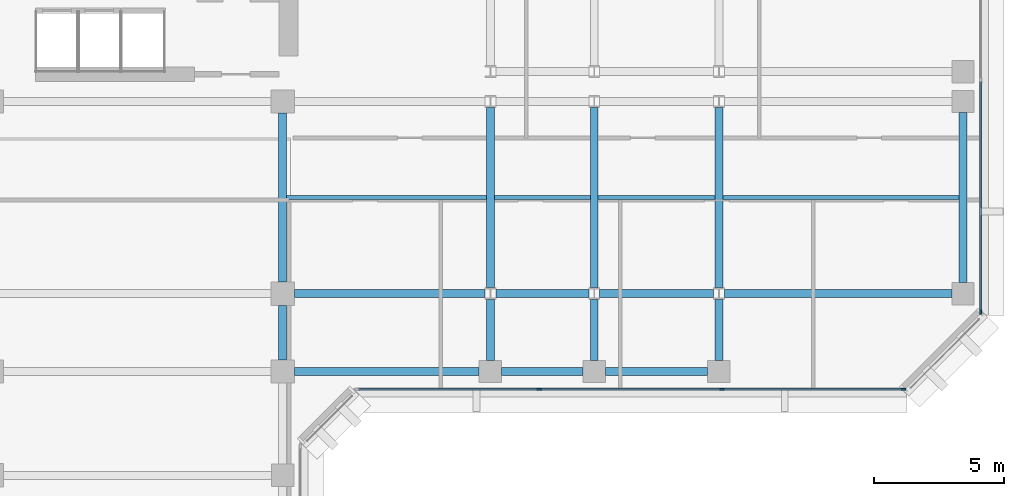
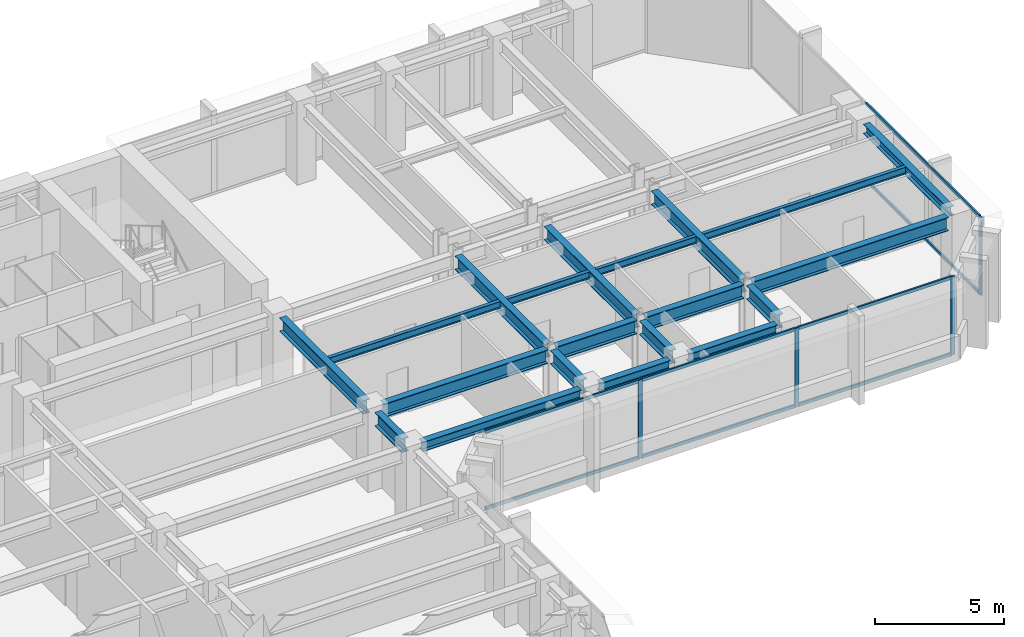
# One storey, part 3 of 11: 20 beams, 12 members, 2 elements without a shape of their own.
"""IFC4 building model written with IfcOpenShell, lengths in metres."""

from ifc_helpers import new_model, si_unit, direction, frame, origin, origin_2d, place, context, subcontext, project, spatial, rectangle, i_section, extrude, material, layer, layer_set, material_profile, profile_set, type_object, element, aggregate, save


model = new_model("IFC4")

# Units and contexts
model_context = context("Model", 3, precision=1e-05, world=origin(), true_north=direction((0.0, 1.0)))
body_context = subcontext(model_context, "Body", "Model", "MODEL_VIEW")
ifc_project = project(units=[si_unit("LENGTHUNIT", "METRE"), si_unit("AREAUNIT", "SQUARE_METRE"), si_unit("VOLUMEUNIT", "CUBIC_METRE"), si_unit("PLANEANGLEUNIT", "RADIAN"), si_unit("MASSUNIT", "GRAM", prefix="KILO")], contexts=[model_context])

# Site, building, storey
site_placement = place(None, origin())
site = spatial("IfcSite", under=ifc_project, at=site_placement, CompositionType="ELEMENT")
building_placement = place(site_placement, origin())
building = spatial("IfcBuilding", under=site, at=building_placement, Name="Kefirva Bronze Tower", CompositionType="ELEMENT")
storey_placement = place(building_placement, frame((0.0, 0.0, 158.72998046875)))
storey = spatial("IfcBuildingStorey", under=building, at=storey_placement, Name="L38", CompositionType="ELEMENT", Elevation=158.72998046875)

# Curtain wall, members
ifc_material_1 = material(Name="Bronze anodised aluminium", Category="aluminium")
ifc_layer = layer(ifc_material_1, 0.199951171875, Name="Bronze anodised aluminium")
ifc_layer_set = layer_set([ifc_layer], Name="Bronze anodised aluminium")
curtain_wall_type = type_object("IfcCurtainWallType", Name="Unitised Bronze Ribbon Curtain Wall Zone 2", PredefinedType="USERDEFINED", material=ifc_layer_set)
curtain_wall_1_placement = place(storey_placement, origin())
curtain_wall_1 = element("IfcCurtainWall", 1, at=curtain_wall_1_placement, inside=storey, type_object=curtain_wall_type, Name="L38 Curtain Wall 3", ObjectType="UNITISED CURTAIN WALL", PredefinedType="USERDEFINED")
ifc_material_profile_1 = material_profile(ifc_material_1, rectangle(XDim=0.074951171875, YDim=0.179931640625, at=origin_2d()), Name="ALU 75x180")
ifc_profile_set_1 = profile_set([ifc_material_profile_1], Name="Bronze anodised aluminium")
member_type_1 = type_object("IfcMemberType", Name="Bronze Mullion 75x180", PredefinedType="MULLION", material=ifc_profile_set_1)
member_1_placement = place(storey_placement, frame((33.0849609375, 22.1201171875, 0.0), z_axis=(0.0, 0.0, 1.0), x_axis=(0.0, 1.0, 0.0)))
member_1 = element("IfcMember", 2, at=member_1_placement, type_object=member_type_1, Name="CW-02 mullion 2", PredefinedType="MULLION", context=body_context, shape_type="SweptSolid", body=[
    extrude(rectangle(XDim=0.074951171875, YDim=0.179931640625, at=origin_2d()), origin(), (0.0, 0.0, 1.0), 3.7099609375),
])
member_2_placement = place(storey_placement, frame((40.114990234375, 22.1201171875, 0.0), z_axis=(0.0, 0.0, 1.0), x_axis=(0.0, 1.0, 0.0)))
member_2 = element("IfcMember", 3, at=member_2_placement, type_object=member_type_1, Name="CW-02 mullion 3", PredefinedType="MULLION", context=body_context, shape_type="SweptSolid", body=[
    extrude(rectangle(XDim=0.074951171875, YDim=0.179931640625, at=origin_2d()), origin(), (0.0, 0.0, 1.0), 3.7099609375),
])
member_3_placement = place(storey_placement, frame((47.107421875, 22.1201171875, 0.0), z_axis=(0.0, 0.0, 1.0), x_axis=(0.0, 1.0, 0.0)))
member_3 = element("IfcMember", 4, at=member_3_placement, type_object=member_type_1, Name="CW-02 mullion 4", PredefinedType="MULLION", context=body_context, shape_type="SweptSolid", body=[
    extrude(rectangle(XDim=0.074951171875, YDim=0.179931640625, at=origin_2d()), origin(), (0.0, 0.0, 1.0), 3.7099609375),
])

# Curtain wall, member
curtain_wall_2_placement = place(storey_placement, origin())
curtain_wall_2 = element("IfcCurtainWall", 5, at=curtain_wall_2_placement, inside=storey, type_object=curtain_wall_type, Name="L38 Curtain Wall 4", ObjectType="UNITISED CURTAIN WALL", PredefinedType="USERDEFINED")
member_4_placement = place(storey_placement, frame((50.080078125, 25.092529296875, 0.0), z_axis=(0.0, 0.0, 1.0), x_axis=(-1.0, 0.0, 0.0)))
member_4 = element("IfcMember", 6, at=member_4_placement, type_object=member_type_1, Name="CW-02 mullion 1", PredefinedType="MULLION", context=body_context, shape_type="SweptSolid", body=[
    extrude(rectangle(XDim=0.074951171875, YDim=0.179931640625, at=origin_2d()), origin(), (0.0, 0.0, 1.0), 3.7099609375),
])

# Member
ifc_material_profile_2 = material_profile(ifc_material_1, rectangle(XDim=0.074951171875, YDim=0.14990234375, at=origin_2d()), Name="ALU 75x150")
ifc_profile_set_2 = profile_set([ifc_material_profile_2], Name="Bronze anodised aluminium")
member_type_2 = type_object("IfcMemberType", Name="Bronze Transom 75x150", PredefinedType="USERDEFINED", material=ifc_profile_set_2)
member_5_placement = place(storey_placement, frame((26.1298828125, 22.1201171875, 0.03759765625), z_axis=(1.0, 0.0, 0.0), x_axis=(0.0, 1.0, 0.0)))
member_5 = element("IfcMember", 7, at=member_5_placement, type_object=member_type_2, Name="CW-02 transom 1.1", ObjectType="TRANSOM", PredefinedType="USERDEFINED", context=body_context, shape_type="SweptSolid", body=[
    extrude(rectangle(XDim=0.074951171875, YDim=0.14990234375, at=origin_2d()), origin(), (0.0, 0.0, 1.0), 6.917724609375),
])

member_6_placement = place(storey_placement, frame((26.1298828125, 22.1201171875, 3.672607421875), z_axis=(1.0, 0.0, 0.0), x_axis=(0.0, 1.0, 0.0)))
member_6 = element("IfcMember", 8, at=member_6_placement, type_object=member_type_2, Name="CW-02 transom 1.2", ObjectType="TRANSOM", PredefinedType="USERDEFINED", context=body_context, shape_type="SweptSolid", body=[
    extrude(rectangle(XDim=0.074951171875, YDim=0.14990234375, at=origin_2d()), origin(), (0.0, 0.0, 1.0), 6.917724609375),
])

member_7_placement = place(storey_placement, frame((33.12255859375, 22.1201171875, 0.03759765625), z_axis=(1.0, 0.0, 0.0), x_axis=(0.0, 1.0, 0.0)))
member_7 = element("IfcMember", 9, at=member_7_placement, type_object=member_type_2, Name="CW-02 transom 2.1", ObjectType="TRANSOM", PredefinedType="USERDEFINED", context=body_context, shape_type="SweptSolid", body=[
    extrude(rectangle(XDim=0.074951171875, YDim=0.14990234375, at=origin_2d()), origin(), (0.0, 0.0, 1.0), 6.954833984375),
])

member_8_placement = place(storey_placement, frame((33.12255859375, 22.1201171875, 3.672607421875), z_axis=(1.0, 0.0, 0.0), x_axis=(0.0, 1.0, 0.0)))
member_8 = element("IfcMember", 10, at=member_8_placement, type_object=member_type_2, Name="CW-02 transom 2.2", ObjectType="TRANSOM", PredefinedType="USERDEFINED", context=body_context, shape_type="SweptSolid", body=[
    extrude(rectangle(XDim=0.074951171875, YDim=0.14990234375, at=origin_2d()), origin(), (0.0, 0.0, 1.0), 6.954833984375),
])

member_9_placement = place(storey_placement, frame((40.152587890625, 22.1201171875, 0.03759765625), z_axis=(1.0, 0.0, 0.0), x_axis=(0.0, 1.0, 0.0)))
member_9 = element("IfcMember", 11, at=member_9_placement, type_object=member_type_2, Name="CW-02 transom 3.1", ObjectType="TRANSOM", PredefinedType="USERDEFINED", context=body_context, shape_type="SweptSolid", body=[
    extrude(rectangle(XDim=0.074951171875, YDim=0.14990234375, at=origin_2d()), origin(), (0.0, 0.0, 1.0), 6.91748046875),
])

member_10_placement = place(storey_placement, frame((40.152587890625, 22.1201171875, 3.672607421875), z_axis=(1.0, 0.0, 0.0), x_axis=(0.0, 1.0, 0.0)))
member_10 = element("IfcMember", 12, at=member_10_placement, type_object=member_type_2, Name="CW-02 transom 3.2", ObjectType="TRANSOM", PredefinedType="USERDEFINED", context=body_context, shape_type="SweptSolid", body=[
    extrude(rectangle(XDim=0.074951171875, YDim=0.14990234375, at=origin_2d()), origin(), (0.0, 0.0, 1.0), 6.91748046875),
])

aggregate(curtain_wall_1, [member_1, member_2, member_3, member_5, member_6, member_7, member_8, member_9, member_10])

member_11_placement = place(storey_placement, frame((50.080078125, 25.1298828125, 0.03759765625), z_axis=(0.0, 1.0, 0.0), x_axis=(-1.0, 0.0, 0.0)))
member_11 = element("IfcMember", 13, at=member_11_placement, type_object=member_type_2, Name="CW-02 transom 1.1", ObjectType="TRANSOM", PredefinedType="USERDEFINED", context=body_context, shape_type="SweptSolid", body=[
    extrude(rectangle(XDim=0.074951171875, YDim=0.14990234375, at=origin_2d()), origin(), (0.0, 0.0, 1.0), 8.83251953125),
])

member_12_placement = place(storey_placement, frame((50.080078125, 25.1298828125, 3.672607421875), z_axis=(0.0, 1.0, 0.0), x_axis=(-1.0, 0.0, 0.0)))
member_12 = element("IfcMember", 14, at=member_12_placement, type_object=member_type_2, Name="CW-02 transom 1.2", ObjectType="TRANSOM", PredefinedType="USERDEFINED", context=body_context, shape_type="SweptSolid", body=[
    extrude(rectangle(XDim=0.074951171875, YDim=0.14990234375, at=origin_2d()), origin(), (0.0, 0.0, 1.0), 8.83251953125),
])

aggregate(curtain_wall_2, [member_4, member_11, member_12])

# Beams
ifc_material_2 = material(Name="Steel S355", Category="steel")
ifc_material_profile_3 = material_profile(ifc_material_2, i_section(OverallWidth=0.159912109375, OverallDepth=0.330078125, WebThickness=0.007568359375, FlangeThickness=0.011474609375, at=origin_2d()), Name="IPE 330")
ifc_profile_set_3 = profile_set([ifc_material_profile_3], Name="Steel S355")
beam_type_1 = type_object("IfcBeamType", Name="Steel Floor Joist IPE 330", PredefinedType="JOIST", material=ifc_profile_set_3)
beam_1_placement = place(storey_placement, frame((23.35009765625, 29.5, 3.544921875), z_axis=(1.0, 0.0, 0.0), x_axis=(0.0, 1.0, 0.0)))
element("IfcBeam", 15, at=beam_1_placement, inside=storey, type_object=beam_type_1, Name="L38 JST-L38-23-295", PredefinedType="JOIST", context=body_context, shape_type="SweptSolid", body=[
    extrude(i_section(OverallWidth=0.159912109375, OverallDepth=0.330078125, WebThickness=0.007568359375, FlangeThickness=0.011474609375, at=origin_2d()), origin(), (0.0, 0.0, 1.0), 7.699951171875),
])
beam_2_placement = place(storey_placement, frame((31.35009765625, 29.5, 3.544921875), z_axis=(1.0, 0.0, 0.0), x_axis=(0.0, 1.0, 0.0)))
element("IfcBeam", 16, at=beam_2_placement, inside=storey, type_object=beam_type_1, Name="L38 JST-L38-31-295", PredefinedType="JOIST", context=body_context, shape_type="SweptSolid", body=[
    extrude(i_section(OverallWidth=0.159912109375, OverallDepth=0.330078125, WebThickness=0.007568359375, FlangeThickness=0.011474609375, at=origin_2d()), origin(), (0.0, 0.0, 1.0), 3.699951171875),
])
beam_3_placement = place(storey_placement, frame((35.35009765625, 29.5, 3.544921875), z_axis=(1.0, 0.0, 0.0), x_axis=(0.0, 1.0, 0.0)))
element("IfcBeam", 17, at=beam_3_placement, inside=storey, type_object=beam_type_1, Name="L38 JST-L38-35-295", PredefinedType="JOIST", context=body_context, shape_type="SweptSolid", body=[
    extrude(i_section(OverallWidth=0.159912109375, OverallDepth=0.330078125, WebThickness=0.007568359375, FlangeThickness=0.011474609375, at=origin_2d()), origin(), (0.0, 0.0, 1.0), 4.5),
])
beam_4_placement = place(storey_placement, frame((40.14990234375, 29.5, 3.544921875), z_axis=(1.0, 0.0, 0.0), x_axis=(0.0, 1.0, 0.0)))
element("IfcBeam", 18, at=beam_4_placement, inside=storey, type_object=beam_type_1, Name="L38 JST-L38-40-295", PredefinedType="JOIST", context=body_context, shape_type="SweptSolid", body=[
    extrude(i_section(OverallWidth=0.159912109375, OverallDepth=0.330078125, WebThickness=0.007568359375, FlangeThickness=0.011474609375, at=origin_2d()), origin(), (0.0, 0.0, 1.0), 9.10009765625),
])
ifc_material_profile_4 = material_profile(ifc_material_2, i_section(OverallWidth=0.300048828125, OverallDepth=0.64990234375, WebThickness=0.01611328125, FlangeThickness=0.031005859375, at=origin_2d()), Name="HEB 650")
ifc_profile_set_4 = profile_set([ifc_material_profile_4], Name="Steel S355")
beam_type_2 = type_object("IfcBeamType", Name="Steel Girder HEB 650", PredefinedType="USERDEFINED", material=ifc_profile_set_4)
beam_5_placement = place(storey_placement, frame((23.64990234375, 25.800048828125, 3.385009765625), z_axis=(1.0, 0.0, 0.0), x_axis=(0.0, 1.0, 0.0)))
element("IfcBeam", 19, at=beam_5_placement, inside=storey, type_object=beam_type_2, Name="L38 BM-L38-EW-23-258", ObjectType="GIRDER", PredefinedType="USERDEFINED", context=body_context, shape_type="SweptSolid", body=[
    extrude(i_section(OverallWidth=0.300048828125, OverallDepth=0.64990234375, WebThickness=0.01611328125, FlangeThickness=0.031005859375, at=origin_2d()), origin(), (0.0, 0.0, 1.0), 7.341064453125),
])
beam_6_placement = place(storey_placement, frame((31.408935546875, 25.800048828125, 3.385009765625), z_axis=(1.0, 0.0, 0.0), x_axis=(0.0, 1.0, 0.0)))
element("IfcBeam", 20, at=beam_6_placement, inside=storey, type_object=beam_type_2, Name="L38 BM-L38-EW-31-258", ObjectType="GIRDER", PredefinedType="USERDEFINED", context=body_context, shape_type="SweptSolid", body=[
    extrude(i_section(OverallWidth=0.300048828125, OverallDepth=0.64990234375, WebThickness=0.01611328125, FlangeThickness=0.031005859375, at=origin_2d()), origin(), (0.0, 0.0, 1.0), 3.58203125),
])
beam_7_placement = place(storey_placement, frame((35.408935546875, 25.800048828125, 3.385009765625), z_axis=(1.0, 0.0, 0.0), x_axis=(0.0, 1.0, 0.0)))
element("IfcBeam", 21, at=beam_7_placement, inside=storey, type_object=beam_type_2, Name="L38 BM-L38-EW-35-258", ObjectType="GIRDER", PredefinedType="USERDEFINED", context=body_context, shape_type="SweptSolid", body=[
    extrude(i_section(OverallWidth=0.300048828125, OverallDepth=0.64990234375, WebThickness=0.01611328125, FlangeThickness=0.031005859375, at=origin_2d()), origin(), (0.0, 0.0, 1.0), 4.382080078125),
])
beam_8_placement = place(storey_placement, frame((40.208984375, 25.800048828125, 3.385009765625), z_axis=(1.0, 0.0, 0.0), x_axis=(0.0, 1.0, 0.0)))
element("IfcBeam", 22, at=beam_8_placement, inside=storey, type_object=beam_type_2, Name="L38 BM-L38-EW-40-258", ObjectType="GIRDER", PredefinedType="USERDEFINED", context=body_context, shape_type="SweptSolid", body=[
    extrude(i_section(OverallWidth=0.300048828125, OverallDepth=0.64990234375, WebThickness=0.01611328125, FlangeThickness=0.031005859375, at=origin_2d()), origin(), (0.0, 0.0, 1.0), 8.760986328125),
])
beam_9_placement = place(storey_placement, frame((23.199951171875, 23.25, 3.385009765625), z_axis=(0.0, 1.0, 0.0), x_axis=(-1.0, 0.0, 0.0)))
element("IfcBeam", 23, at=beam_9_placement, inside=storey, type_object=beam_type_2, Name="L38 BM-L38-NS-232-22", ObjectType="GIRDER", PredefinedType="USERDEFINED", context=body_context, shape_type="SweptSolid", body=[
    extrude(i_section(OverallWidth=0.300048828125, OverallDepth=0.64990234375, WebThickness=0.01611328125, FlangeThickness=0.031005859375, at=origin_2d()), origin(), (0.0, 0.0, 1.0), 2.10009765625),
])
beam_10_placement = place(storey_placement, frame((23.199951171875, 26.25, 3.385009765625), z_axis=(0.0, 1.0, 0.0), x_axis=(-1.0, 0.0, 0.0)))
element("IfcBeam", 24, at=beam_10_placement, inside=storey, type_object=beam_type_2, Name="L38 BM-L38-NS-232-25", ObjectType="GIRDER", PredefinedType="USERDEFINED", context=body_context, shape_type="SweptSolid", body=[
    extrude(i_section(OverallWidth=0.300048828125, OverallDepth=0.64990234375, WebThickness=0.01611328125, FlangeThickness=0.031005859375, at=origin_2d()), origin(), (0.0, 0.0, 1.0), 6.5),
])
beam_11_placement = place(storey_placement, frame((31.199951171875, 23.22998046875, 3.385009765625), z_axis=(0.0, 1.0, 0.0), x_axis=(-1.0, 0.0, 0.0)))
element("IfcBeam", 25, at=beam_11_placement, inside=storey, type_object=beam_type_2, Name="L38 BM-L38-NS-312-22", ObjectType="GIRDER", PredefinedType="USERDEFINED", context=body_context, shape_type="SweptSolid", body=[
    extrude(i_section(OverallWidth=0.300048828125, OverallDepth=0.64990234375, WebThickness=0.01611328125, FlangeThickness=0.031005859375, at=origin_2d()), origin(), (0.0, 0.0, 1.0), 2.342529296875),
])
beam_12_placement = place(storey_placement, frame((31.199951171875, 26.027587890625, 3.385009765625), z_axis=(0.0, 1.0, 0.0), x_axis=(-1.0, 0.0, 0.0)))
element("IfcBeam", 26, at=beam_12_placement, inside=storey, type_object=beam_type_2, Name="L38 BM-L38-NS-312-25", ObjectType="GIRDER", PredefinedType="USERDEFINED", context=body_context, shape_type="SweptSolid", body=[
    extrude(i_section(OverallWidth=0.300048828125, OverallDepth=0.64990234375, WebThickness=0.01611328125, FlangeThickness=0.031005859375, at=origin_2d()), origin(), (0.0, 0.0, 1.0), 6.94482421875),
])
beam_13_placement = place(storey_placement, frame((35.199951171875, 23.22998046875, 3.385009765625), z_axis=(0.0, 1.0, 0.0), x_axis=(-1.0, 0.0, 0.0)))
element("IfcBeam", 27, at=beam_13_placement, inside=storey, type_object=beam_type_2, Name="L38 BM-L38-NS-352-22", ObjectType="GIRDER", PredefinedType="USERDEFINED", context=body_context, shape_type="SweptSolid", body=[
    extrude(i_section(OverallWidth=0.300048828125, OverallDepth=0.64990234375, WebThickness=0.01611328125, FlangeThickness=0.031005859375, at=origin_2d()), origin(), (0.0, 0.0, 1.0), 2.342529296875),
])
beam_14_placement = place(storey_placement, frame((35.199951171875, 26.027587890625, 3.385009765625), z_axis=(0.0, 1.0, 0.0), x_axis=(-1.0, 0.0, 0.0)))
element("IfcBeam", 28, at=beam_14_placement, inside=storey, type_object=beam_type_2, Name="L38 BM-L38-NS-352-25", ObjectType="GIRDER", PredefinedType="USERDEFINED", context=body_context, shape_type="SweptSolid", body=[
    extrude(i_section(OverallWidth=0.300048828125, OverallDepth=0.64990234375, WebThickness=0.01611328125, FlangeThickness=0.031005859375, at=origin_2d()), origin(), (0.0, 0.0, 1.0), 6.94482421875),
])
beam_15_placement = place(storey_placement, frame((40.0, 23.22998046875, 3.385009765625), z_axis=(0.0, 1.0, 0.0), x_axis=(-1.0, 0.0, 0.0)))
element("IfcBeam", 29, at=beam_15_placement, inside=storey, type_object=beam_type_2, Name="L38 BM-L38-NS-400-22", ObjectType="GIRDER", PredefinedType="USERDEFINED", context=body_context, shape_type="SweptSolid", body=[
    extrude(i_section(OverallWidth=0.300048828125, OverallDepth=0.64990234375, WebThickness=0.01611328125, FlangeThickness=0.031005859375, at=origin_2d()), origin(), (0.0, 0.0, 1.0), 2.342529296875),
])
beam_16_placement = place(storey_placement, frame((40.0, 26.027587890625, 3.385009765625), z_axis=(0.0, 1.0, 0.0), x_axis=(-1.0, 0.0, 0.0)))
element("IfcBeam", 30, at=beam_16_placement, inside=storey, type_object=beam_type_2, Name="L38 BM-L38-NS-400-25", ObjectType="GIRDER", PredefinedType="USERDEFINED", context=body_context, shape_type="SweptSolid", body=[
    extrude(i_section(OverallWidth=0.300048828125, OverallDepth=0.64990234375, WebThickness=0.01611328125, FlangeThickness=0.031005859375, at=origin_2d()), origin(), (0.0, 0.0, 1.0), 6.94482421875),
])
ifc_material_profile_5 = material_profile(ifc_material_2, i_section(OverallWidth=0.300048828125, OverallDepth=0.449951171875, WebThickness=0.013916015625, FlangeThickness=0.02587890625, at=origin_2d()), Name="HEB 450")
ifc_profile_set_5 = profile_set([ifc_material_profile_5], Name="Steel S355")
beam_type_3 = type_object("IfcBeamType", Name="Steel Spandrel HEB 450 Ext", PredefinedType="SPANDREL", material=ifc_profile_set_5)
beam_17_placement = place(storey_placement, frame((23.64990234375, 22.800048828125, 3.485107421875), z_axis=(1.0, 0.0, 0.0), x_axis=(0.0, 1.0, 0.0)))
element("IfcBeam", 31, at=beam_17_placement, inside=storey, type_object=beam_type_3, Name="L38 BM-L38-EW-23-228", PredefinedType="SPANDREL", context=body_context, shape_type="SweptSolid", body=[
    extrude(i_section(OverallWidth=0.300048828125, OverallDepth=0.449951171875, WebThickness=0.013916015625, FlangeThickness=0.02587890625, at=origin_2d()), origin(), (0.0, 0.0, 1.0), 7.1201171875),
])
beam_18_placement = place(storey_placement, frame((31.6298828125, 22.800048828125, 3.485107421875), z_axis=(1.0, 0.0, 0.0), x_axis=(0.0, 1.0, 0.0)))
element("IfcBeam", 32, at=beam_18_placement, inside=storey, type_object=beam_type_3, Name="L38 BM-L38-EW-31-228", PredefinedType="SPANDREL", context=body_context, shape_type="SweptSolid", body=[
    extrude(i_section(OverallWidth=0.300048828125, OverallDepth=0.449951171875, WebThickness=0.013916015625, FlangeThickness=0.02587890625, at=origin_2d()), origin(), (0.0, 0.0, 1.0), 3.14013671875),
])
beam_19_placement = place(storey_placement, frame((35.6298828125, 22.800048828125, 3.485107421875), z_axis=(1.0, 0.0, 0.0), x_axis=(0.0, 1.0, 0.0)))
element("IfcBeam", 33, at=beam_19_placement, inside=storey, type_object=beam_type_3, Name="L38 BM-L38-EW-35-228", PredefinedType="SPANDREL", context=body_context, shape_type="SweptSolid", body=[
    extrude(i_section(OverallWidth=0.300048828125, OverallDepth=0.449951171875, WebThickness=0.013916015625, FlangeThickness=0.02587890625, at=origin_2d()), origin(), (0.0, 0.0, 1.0), 3.940185546875),
])
beam_20_placement = place(storey_placement, frame((49.39990234375, 26.22998046875, 3.485107421875), z_axis=(0.0, 1.0, 0.0), x_axis=(-1.0, 0.0, 0.0)))
element("IfcBeam", 34, at=beam_20_placement, inside=storey, type_object=beam_type_3, Name="L38 BM-L38-NS-494-25", PredefinedType="SPANDREL", context=body_context, shape_type="SweptSolid", body=[
    extrude(i_section(OverallWidth=0.300048828125, OverallDepth=0.449951171875, WebThickness=0.013916015625, FlangeThickness=0.02587890625, at=origin_2d()), origin(), (0.0, 0.0, 1.0), 6.5400390625),
])

save(model, "model.ifc")
